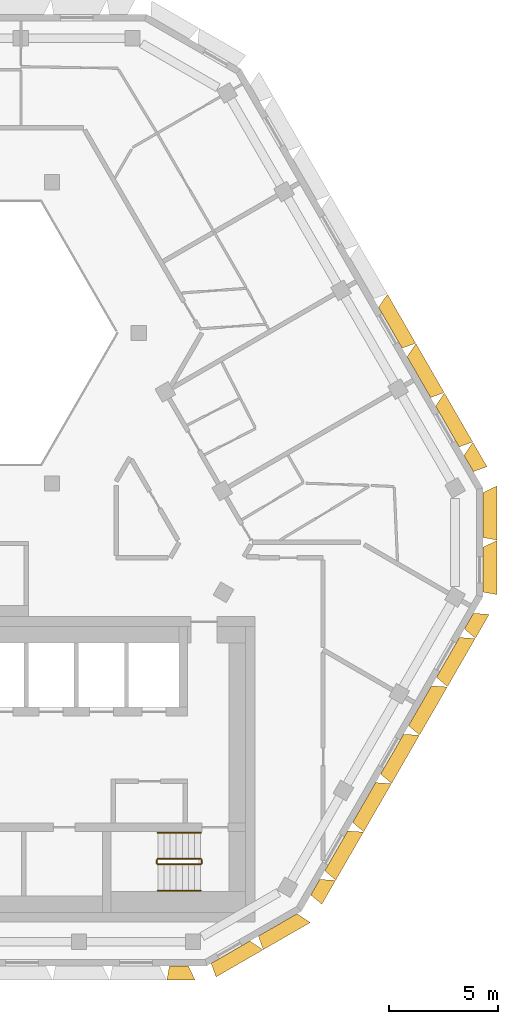
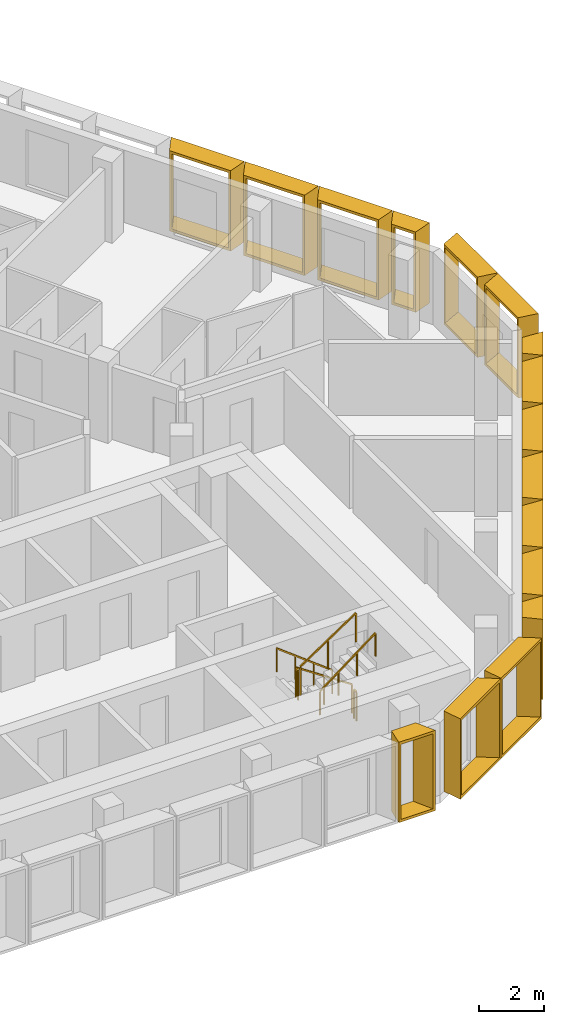
# One storey, part 13 of 14: 16 shading devices, 6 railings.
"""IFC4 building model written with IfcOpenShell, lengths in metres."""

from ifc_helpers import new_model, entity, si_unit, direction, frame, origin, origin_2d, place, context, subcontext, project, spatial, rectangle, extrude, source, transform, mapped, material, type_object, type_shapes, element, save


model = new_model("IFC4")

# Units and contexts
model_context = context("Model", 3, precision=1e-05, world=origin(), true_north=direction((0.0, 1.0)))
body_context = subcontext(model_context, "Body", "Model", "MODEL_VIEW")
ifc_project = project(units=[si_unit("LENGTHUNIT", "METRE"), si_unit("AREAUNIT", "SQUARE_METRE"), si_unit("VOLUMEUNIT", "CUBIC_METRE"), si_unit("PLANEANGLEUNIT", "RADIAN"), si_unit("MASSUNIT", "GRAM", prefix="KILO")], contexts=[model_context])

# Site, building, storey
site_placement = place(None, origin())
site = spatial("IfcSite", under=ifc_project, at=site_placement, CompositionType="ELEMENT")
building_placement = place(site_placement, origin())
building = spatial("IfcBuilding", under=site, at=building_placement, Name="Beryl Residences", CompositionType="ELEMENT")
storey_placement = place(building_placement, frame((0.0, 0.0, 223.800048828125)))
storey = spatial("IfcBuildingStorey", under=building, at=storey_placement, Name="L69", CompositionType="ELEMENT", Elevation=223.800048828125)

# Shading devices
ifc_material_1 = material(Name="Aluminium pale anodised", Category="aluminium")
shading_device_type_1 = type_object("IfcShadingDeviceType", Name="FR128-65C OUTER SKIN frame 650 mm deep, splay 10/26 deg, 1280 x 3000 mm cell", PredefinedType="USERDEFINED", material=ifc_material_1)
cartesian_point_1 = entity("IfcCartesianPoint", [-0.4140625, 0.0])
cartesian_point_2 = entity("IfcCartesianPoint", [-0.332763671875, 0.10009765625])
cartesian_point_3 = entity("IfcCartesianPoint", [-0.528564453125, 0.0])
cartesian_point_4 = entity("IfcCartesianPoint", [-0.447265625, 0.10009765625])
shared_shape_1 = source(origin(), body_context, "Body", "SweptSolid", [
    entity("IfcExtrudedAreaSolidTapered", entity("IfcArbitraryProfileDefWithVoids", "AREA", None, entity("IfcPolyline", [cartesian_point_1, entity("IfcCartesianPoint", [0.4140625, 0.0]), entity("IfcCartesianPoint", [0.4140625, 3.0]), entity("IfcCartesianPoint", [-0.4140625, 3.0]), cartesian_point_1]), [entity("IfcPolyline", [cartesian_point_2, entity("IfcCartesianPoint", [0.324951171875, 0.10009765625]), entity("IfcCartesianPoint", [0.324951171875, 2.89990234375]), entity("IfcCartesianPoint", [-0.332763671875, 2.89990234375]), cartesian_point_2])]), entity("IfcAxis2Placement3D", entity("IfcCartesianPoint", [0.0, 0.0, 0.0]), entity("IfcDirection", [0.0, 1.0, 0.0]), entity("IfcDirection", [-1.0, 0.0, 0.0])), entity("IfcDirection", [0.0, 0.0, 1.0]), 0.64990234375, entity("IfcArbitraryProfileDefWithVoids", "AREA", None, entity("IfcPolyline", [cartesian_point_3, entity("IfcCartesianPoint", [0.73095703125, 0.0]), entity("IfcCartesianPoint", [0.73095703125, 3.0]), entity("IfcCartesianPoint", [-0.528564453125, 3.0]), cartesian_point_3]), [entity("IfcPolyline", [cartesian_point_4, entity("IfcCartesianPoint", [0.64208984375, 0.10009765625]), entity("IfcCartesianPoint", [0.64208984375, 2.89990234375]), entity("IfcCartesianPoint", [-0.447265625, 2.89990234375]), cartesian_point_4])])),
])
type_shapes(shading_device_type_1, [shared_shape_1])
for number, where, z_axis, x_axis, name in (
    (1, (16.052978515625, -17.39599609375, 0.0), (0.0, 0.0, 1.0), (-0.5, -0.866025403784, 0.0), "FR128-65C frame L69 SE 1"),
    (2, (23.091064453125, -5.205078125, 0.0), (0.0, 0.0, 1.0), (-0.5, -0.866025403784, 0.0), "FR128-65C frame L69 SE 7"),
):
    element("IfcShadingDevice", number, at=place(storey_placement, frame(where, z_axis=z_axis, x_axis=x_axis)), inside=storey, type_object=shading_device_type_1, Name=name, ObjectType="OUTER SKIN", PredefinedType="USERDEFINED", context=body_context, shape_type="MappedRepresentation", body=[
        mapped(shared_shape_1, transform((0.0, 0.0, 0.0))),
    ])
ifc_material_2 = material(Name="Aluminium pale anodised", Category="aluminium")
shading_device_type_2 = type_object("IfcShadingDeviceType", Name="FR131-65C OUTER SKIN frame 650 mm deep, splay 10/26 deg, 1310 x 3000 mm cell", PredefinedType="USERDEFINED", material=ifc_material_2)
cartesian_point_5 = entity("IfcCartesianPoint", [-0.428955078125, 0.0])
cartesian_point_6 = entity("IfcCartesianPoint", [-0.34765625, 0.10009765625])
cartesian_point_7 = entity("IfcCartesianPoint", [-0.543701171875, 0.0])
cartesian_point_8 = entity("IfcCartesianPoint", [-0.46240234375, 0.10009765625])
shared_shape_2 = source(origin(), body_context, "Body", "SweptSolid", [
    entity("IfcExtrudedAreaSolidTapered", entity("IfcArbitraryProfileDefWithVoids", "AREA", None, entity("IfcPolyline", [cartesian_point_5, entity("IfcCartesianPoint", [0.428955078125, 0.0]), entity("IfcCartesianPoint", [0.428955078125, 3.0]), entity("IfcCartesianPoint", [-0.428955078125, 3.0]), cartesian_point_5]), [entity("IfcPolyline", [cartesian_point_6, entity("IfcCartesianPoint", [0.340087890625, 0.10009765625]), entity("IfcCartesianPoint", [0.340087890625, 2.89990234375]), entity("IfcCartesianPoint", [-0.34765625, 2.89990234375]), cartesian_point_6])]), entity("IfcAxis2Placement3D", entity("IfcCartesianPoint", [0.0, 0.0, 0.0]), entity("IfcDirection", [0.0, 1.0, 0.0]), entity("IfcDirection", [-1.0, 0.0, 0.0])), entity("IfcDirection", [0.0, 0.0, 1.0]), 0.64990234375, entity("IfcArbitraryProfileDefWithVoids", "AREA", None, entity("IfcPolyline", [cartesian_point_7, entity("IfcCartesianPoint", [0.74609375, 0.0]), entity("IfcCartesianPoint", [0.74609375, 3.0]), entity("IfcCartesianPoint", [-0.543701171875, 3.0]), cartesian_point_7]), [entity("IfcPolyline", [cartesian_point_8, entity("IfcCartesianPoint", [0.656982421875, 0.10009765625]), entity("IfcCartesianPoint", [0.656982421875, 2.89990234375]), entity("IfcCartesianPoint", [-0.46240234375, 2.89990234375]), cartesian_point_8])])),
])
type_shapes(shading_device_type_2, [shared_shape_2])
for number, where, z_axis, x_axis, name in (
    (3, (9.797119140625, -21.0, 0.0), (0.0, 0.0, 1.0), (-1.0, 0.0, 0.0), "FR131-65C frame L69 S 9"),
    (4, (23.083984375, 2.01611328125, 0.0), (0.0, 0.0, 1.0), (0.5, -0.866025403784, 0.0), "FR131-65C frame L69 NE 1"),
):
    element("IfcShadingDevice", number, at=place(storey_placement, frame(where, z_axis=z_axis, x_axis=x_axis)), inside=storey, type_object=shading_device_type_2, Name=name, ObjectType="OUTER SKIN", PredefinedType="USERDEFINED", context=body_context, shape_type="MappedRepresentation", body=[
        mapped(shared_shape_2, transform((0.0, 0.0, 0.0))),
    ])
ifc_material_3 = material(Name="Aluminium pale anodised", Category="aluminium")
shading_device_type_3 = type_object("IfcShadingDeviceType", Name="FR250-65C OUTER SKIN frame 650 mm deep, splay 10/26 deg, 2500 x 3000 mm cell", PredefinedType="USERDEFINED", material=ifc_material_3)
cartesian_point_9 = entity("IfcCartesianPoint", [-1.02392578125, 0.0])
cartesian_point_10 = entity("IfcCartesianPoint", [-0.94287109375, 0.10009765625])
cartesian_point_11 = entity("IfcCartesianPoint", [-1.138671875, 0.0])
cartesian_point_12 = entity("IfcCartesianPoint", [-1.057373046875, 0.10009765625])
shared_shape_3 = source(origin(), body_context, "Body", "SweptSolid", [
    entity("IfcExtrudedAreaSolidTapered", entity("IfcArbitraryProfileDefWithVoids", "AREA", None, entity("IfcPolyline", [cartesian_point_9, entity("IfcCartesianPoint", [1.02392578125, 0.0]), entity("IfcCartesianPoint", [1.02392578125, 3.0]), entity("IfcCartesianPoint", [-1.02392578125, 3.0]), cartesian_point_9]), [entity("IfcPolyline", [cartesian_point_10, entity("IfcCartesianPoint", [0.93505859375, 0.10009765625]), entity("IfcCartesianPoint", [0.93505859375, 2.89990234375]), entity("IfcCartesianPoint", [-0.94287109375, 2.89990234375]), cartesian_point_10])]), entity("IfcAxis2Placement3D", entity("IfcCartesianPoint", [0.0, 0.0, 0.0]), entity("IfcDirection", [0.0, 1.0, 0.0]), entity("IfcDirection", [-1.0, 0.0, 0.0])), entity("IfcDirection", [0.0, 0.0, 1.0]), 0.64990234375, entity("IfcArbitraryProfileDefWithVoids", "AREA", None, entity("IfcPolyline", [cartesian_point_11, entity("IfcCartesianPoint", [1.341064453125, 0.0]), entity("IfcCartesianPoint", [1.341064453125, 3.0]), entity("IfcCartesianPoint", [-1.138671875, 3.0]), cartesian_point_11]), [entity("IfcPolyline", [cartesian_point_12, entity("IfcCartesianPoint", [1.251953125, 0.10009765625]), entity("IfcCartesianPoint", [1.251953125, 2.89990234375]), entity("IfcCartesianPoint", [-1.057373046875, 2.89990234375]), cartesian_point_12])])),
])
type_shapes(shading_device_type_3, [shared_shape_3])
for number, where, z_axis, x_axis, name in (
    (5, (12.16796875, -20.375, 0.0), (0.0, 0.0, 1.0), (-0.866025403784, -0.5, 0.0), "FR250-65C frame L69 S-SE 1"),
    (6, (14.33203125, -19.125, 0.0), (0.0, 0.0, 1.0), (-0.866025403784, -0.5, 0.0), "FR250-65C frame L69 S-SE 2"),
    (7, (23.72900390625, -2.85009765625, 0.0), (0.0, 0.0, 1.0), (0.0, -1.0, 0.0), "FR250-65C frame L69 SE-NE 1"),
    (8, (23.72900390625, -0.35009765625, 0.0), (0.0, 0.0, 1.0), (0.0, -1.0, 0.0), "FR250-65C frame L69 SE-NE 2"),
):
    element("IfcShadingDevice", number, at=place(storey_placement, frame(where, z_axis=z_axis, x_axis=x_axis)), inside=storey, type_object=shading_device_type_3, Name=name, ObjectType="OUTER SKIN", PredefinedType="USERDEFINED", context=body_context, shape_type="MappedRepresentation", body=[
        mapped(shared_shape_3, transform((0.0, 0.0, 0.0))),
    ])
ifc_material_4 = material(Name="Aluminium pale anodised", Category="aluminium")
shading_device_type_4 = type_object("IfcShadingDeviceType", Name="FR256-65C OUTER SKIN frame 650 mm deep, splay 10/26 deg, 2560 x 3000 mm cell", PredefinedType="USERDEFINED", material=ifc_material_4)
cartesian_point_13 = entity("IfcCartesianPoint", [-1.053955078125, 0.0])
cartesian_point_14 = entity("IfcCartesianPoint", [-0.97265625, 0.10009765625])
cartesian_point_15 = entity("IfcCartesianPoint", [-1.168701171875, 0.0])
cartesian_point_16 = entity("IfcCartesianPoint", [-1.08740234375, 0.10009765625])
shared_shape_4 = source(origin(), body_context, "Body", "SweptSolid", [
    entity("IfcExtrudedAreaSolidTapered", entity("IfcArbitraryProfileDefWithVoids", "AREA", None, entity("IfcPolyline", [cartesian_point_13, entity("IfcCartesianPoint", [1.053955078125, 0.0]), entity("IfcCartesianPoint", [1.053955078125, 3.0]), entity("IfcCartesianPoint", [-1.053955078125, 3.0]), cartesian_point_13]), [entity("IfcPolyline", [cartesian_point_14, entity("IfcCartesianPoint", [0.965087890625, 0.10009765625]), entity("IfcCartesianPoint", [0.965087890625, 2.89990234375]), entity("IfcCartesianPoint", [-0.97265625, 2.89990234375]), cartesian_point_14])]), entity("IfcAxis2Placement3D", entity("IfcCartesianPoint", [0.0, 0.0, 0.0]), entity("IfcDirection", [0.0, 1.0, 0.0]), entity("IfcDirection", [-1.0, 0.0, 0.0])), entity("IfcDirection", [0.0, 0.0, 1.0]), 0.64990234375, entity("IfcArbitraryProfileDefWithVoids", "AREA", None, entity("IfcPolyline", [cartesian_point_15, entity("IfcCartesianPoint", [1.37109375, 0.0]), entity("IfcCartesianPoint", [1.37109375, 3.0]), entity("IfcCartesianPoint", [-1.168701171875, 3.0]), cartesian_point_15]), [entity("IfcPolyline", [cartesian_point_16, entity("IfcCartesianPoint", [1.281982421875, 0.10009765625]), entity("IfcCartesianPoint", [1.281982421875, 2.89990234375]), entity("IfcCartesianPoint", [-1.08740234375, 2.89990234375]), cartesian_point_16])])),
])
type_shapes(shading_device_type_4, [shared_shape_4])
for number, where, z_axis, x_axis, name in (
    (9, (17.011962890625, -15.73388671875, 0.0), (0.0, 0.0, 1.0), (-0.5, -0.866025403784, 0.0), "FR256-65C frame L69 SE 2"),
    (10, (18.2919921875, -13.51708984375, 0.0), (0.0, 0.0, 1.0), (-0.5, -0.866025403784, 0.0), "FR256-65C frame L69 SE 3"),
    (11, (19.572021484375, -11.300048828125, 0.0), (0.0, 0.0, 1.0), (-0.5, -0.866025403784, 0.0), "FR256-65C frame L69 SE 4"),
    (12, (20.85107421875, -9.083984375, 0.0), (0.0, 0.0, 1.0), (-0.5, -0.866025403784, 0.0), "FR256-65C frame L69 SE 5"),
    (13, (22.131103515625, -6.866943359375, 0.0), (0.0, 0.0, 1.0), (-0.5, -0.866025403784, 0.0), "FR256-65C frame L69 SE 6"),
):
    element("IfcShadingDevice", number, at=place(storey_placement, frame(where, z_axis=z_axis, x_axis=x_axis)), inside=storey, type_object=shading_device_type_4, Name=name, ObjectType="OUTER SKIN", PredefinedType="USERDEFINED", context=body_context, shape_type="MappedRepresentation", body=[
        mapped(shared_shape_4, transform((0.0, 0.0, 0.0))),
    ])
ifc_material_5 = material(Name="Aluminium pale anodised", Category="aluminium")
shading_device_type_5 = type_object("IfcShadingDeviceType", Name="FR261-65C OUTER SKIN frame 650 mm deep, splay 10/26 deg, 2610 x 3000 mm cell", PredefinedType="USERDEFINED", material=ifc_material_5)
cartesian_point_17 = entity("IfcCartesianPoint", [-1.0791015625, 0.0])
cartesian_point_18 = entity("IfcCartesianPoint", [-0.997802734375, 0.10009765625])
cartesian_point_19 = entity("IfcCartesianPoint", [-1.193603515625, 0.0])
cartesian_point_20 = entity("IfcCartesianPoint", [-1.1123046875, 0.10009765625])
shared_shape_5 = source(origin(), body_context, "Body", "SweptSolid", [
    entity("IfcExtrudedAreaSolidTapered", entity("IfcArbitraryProfileDefWithVoids", "AREA", None, entity("IfcPolyline", [cartesian_point_17, entity("IfcCartesianPoint", [1.0791015625, 0.0]), entity("IfcCartesianPoint", [1.0791015625, 3.0]), entity("IfcCartesianPoint", [-1.0791015625, 3.0]), cartesian_point_17]), [entity("IfcPolyline", [cartesian_point_18, entity("IfcCartesianPoint", [0.989990234375, 0.10009765625]), entity("IfcCartesianPoint", [0.989990234375, 2.89990234375]), entity("IfcCartesianPoint", [-0.997802734375, 2.89990234375]), cartesian_point_18])]), entity("IfcAxis2Placement3D", entity("IfcCartesianPoint", [0.0, 0.0, 0.0]), entity("IfcDirection", [0.0, 1.0, 0.0]), entity("IfcDirection", [-1.0, 0.0, 0.0])), entity("IfcDirection", [0.0, 0.0, 1.0]), 0.64990234375, entity("IfcArbitraryProfileDefWithVoids", "AREA", None, entity("IfcPolyline", [cartesian_point_19, entity("IfcCartesianPoint", [1.39599609375, 0.0]), entity("IfcCartesianPoint", [1.39599609375, 3.0]), entity("IfcCartesianPoint", [-1.193603515625, 3.0]), cartesian_point_19]), [entity("IfcPolyline", [cartesian_point_20, entity("IfcCartesianPoint", [1.30712890625, 0.10009765625]), entity("IfcCartesianPoint", [1.30712890625, 2.89990234375]), entity("IfcCartesianPoint", [-1.1123046875, 2.89990234375]), cartesian_point_20])])),
])
type_shapes(shading_device_type_5, [shared_shape_5])
for number, where, z_axis, x_axis, name in (
    (14, (22.10498046875, 3.7119140625, 0.0), (0.0, 0.0, 1.0), (0.5, -0.866025403784, 0.0), "FR261-65C frame L69 NE 2"),
    (15, (20.798095703125, 5.97509765625, 0.0), (0.0, 0.0, 1.0), (0.5, -0.866025403784, 0.0), "FR261-65C frame L69 NE 3"),
    (16, (19.491943359375, 8.237060546875, 0.0), (0.0, 0.0, 1.0), (0.5, -0.866025403784, 0.0), "FR261-65C frame L69 NE 4"),
):
    element("IfcShadingDevice", number, at=place(storey_placement, frame(where, z_axis=z_axis, x_axis=x_axis)), inside=storey, type_object=shading_device_type_5, Name=name, ObjectType="OUTER SKIN", PredefinedType="USERDEFINED", context=body_context, shape_type="MappedRepresentation", body=[
        mapped(shared_shape_5, transform((0.0, 0.0, 0.0))),
    ])

# Railings
ifc_material_6 = material(Name="Stainless steel balustrade with glass infill", Category="steel")
railing_type_1 = type_object("IfcRailingType", Name="SG1 stair guard 1100 mm", PredefinedType="GUARDRAIL", material=ifc_material_6)
railing_1_placement = place(storey_placement, frame((10.800048828125, -16.10009765625, 0.1875)))
element("IfcRailing", 17, at=railing_1_placement, inside=storey, type_object=railing_type_1, Name="L69 ST-3 stair guard 1", PredefinedType="GUARDRAIL", context=body_context, shape_type="SweptSolid", body=[
    extrude(rectangle(XDim=0.048095703125, YDim=0.048095703125, at=origin_2d()), frame((0.0, 0.0, 1.076171875), z_axis=(-0.830902050051, 0.0, 0.556418712142), x_axis=(0.0, -1.0, 0.0)), (0.0, 0.0, 1.0), 2.35888671875),
    extrude(rectangle(XDim=0.0419921875, YDim=0.0419921875, at=origin_2d()), origin(), (0.0, 0.0, 1.0), 1.052001953125),
    extrude(rectangle(XDim=0.0419921875, YDim=0.0419921875, at=origin_2d()), frame((-0.97998046875, 0.0, 0.65625)), (0.0, 0.0, 1.0), 1.052001953125),
    extrude(rectangle(XDim=0.0419921875, YDim=0.0419921875, at=origin_2d()), frame((-1.9599609375, 0.0, 1.3125)), (0.0, 0.0, 1.0), 1.052001953125),
])
railing_2_placement = place(storey_placement, frame((8.7900390625, -16.14990234375, 1.5)))
element("IfcRailing", 18, at=railing_2_placement, inside=storey, type_object=railing_type_1, Name="L69 ST-3 stair guard 2", PredefinedType="GUARDRAIL", context=body_context, shape_type="SweptSolid", body=[
    extrude(rectangle(XDim=0.048095703125, YDim=0.048095703125, at=origin_2d()), frame((0.0, 0.0, 1.076171875), z_axis=(0.0, -1.0, 0.0), x_axis=(1.0, 0.0, 0.0)), (0.0, 0.0, 1.0), 0.150146484375),
    extrude(rectangle(XDim=0.0419921875, YDim=0.0419921875, at=origin_2d()), origin(), (0.0, 0.0, 1.0), 1.052001953125),
    extrude(rectangle(XDim=0.0419921875, YDim=0.0419921875, at=origin_2d()), frame((0.0, -0.150146484375, 0.0)), (0.0, 0.0, 1.0), 1.052001953125),
])
railing_3_placement = place(storey_placement, frame((8.840087890625, -16.35009765625, 1.6875)))
element("IfcRailing", 19, at=railing_3_placement, inside=storey, type_object=railing_type_1, Name="L69 ST-3 stair guard 3", PredefinedType="GUARDRAIL", context=body_context, shape_type="SweptSolid", body=[
    extrude(rectangle(XDim=0.048095703125, YDim=0.048095703125, at=origin_2d()), frame((0.0, 0.0, 1.076171875), z_axis=(0.830902050051, 0.0, 0.556418712142), x_axis=(0.0, 1.0, 0.0)), (0.0, 0.0, 1.0), 2.35888671875),
    extrude(rectangle(XDim=0.0419921875, YDim=0.0419921875, at=origin_2d()), origin(), (0.0, 0.0, 1.0), 1.052001953125),
    extrude(rectangle(XDim=0.0419921875, YDim=0.0419921875, at=origin_2d()), frame((0.97998046875, 0.0, 0.65625)), (0.0, 0.0, 1.0), 1.052001953125),
    extrude(rectangle(XDim=0.0419921875, YDim=0.0419921875, at=origin_2d()), frame((1.9599609375, 0.0, 1.3125)), (0.0, 0.0, 1.0), 1.052001953125),
])
railing_4_placement = place(storey_placement, frame((10.85009765625, -16.14990234375, 0.0)))
element("IfcRailing", 20, at=railing_4_placement, inside=storey, type_object=railing_type_1, Name="L69 ST-3 stair guard 4", PredefinedType="GUARDRAIL", context=body_context, shape_type="SweptSolid", body=[
    extrude(rectangle(XDim=0.048095703125, YDim=0.048095703125, at=origin_2d()), frame((0.0, 0.0, 1.076171875), z_axis=(0.0, -1.0, 0.0), x_axis=(1.0, 0.0, 0.0)), (0.0, 0.0, 1.0), 0.150146484375),
    extrude(rectangle(XDim=0.0419921875, YDim=0.0419921875, at=origin_2d()), origin(), (0.0, 0.0, 1.0), 1.052001953125),
    extrude(rectangle(XDim=0.0419921875, YDim=0.0419921875, at=origin_2d()), frame((0.0, -0.150146484375, 0.0)), (0.0, 0.0, 1.0), 1.052001953125),
])
ifc_material_7 = material(Name="Stainless steel handrail", Category="steel")
railing_type_2 = type_object("IfcRailingType", Name="SRL1 stair handrail 900 mm", PredefinedType="HANDRAIL", material=ifc_material_7)
railing_5_placement = place(storey_placement, frame((10.800048828125, -14.89990234375, 0.1875)))
element("IfcRailing", 21, at=railing_5_placement, inside=storey, type_object=railing_type_2, Name="L69 ST-3 stair handrail 1", PredefinedType="HANDRAIL", context=body_context, shape_type="SweptSolid", body=[
    extrude(rectangle(XDim=0.048095703125, YDim=0.048095703125, at=origin_2d()), frame((0.0, 0.0, 0.8759765625), z_axis=(-0.794121922505, 0.0, 0.607758481798), x_axis=(0.0, -1.0, 0.0)), (0.0, 0.0, 1.0), 2.468017578125),
    extrude(rectangle(XDim=0.0419921875, YDim=0.0419921875, at=origin_2d()), origin(), (0.0, 0.0, 1.0), 0.851806640625),
    extrude(rectangle(XDim=0.0419921875, YDim=0.0419921875, at=origin_2d()), frame((-0.6533203125, 0.0, 0.5)), (0.0, 0.0, 1.0), 0.851806640625),
    extrude(rectangle(XDim=0.0419921875, YDim=0.0419921875, at=origin_2d()), frame((-1.306640625, 0.0, 1.0)), (0.0, 0.0, 1.0), 0.851806640625),
    extrude(rectangle(XDim=0.0419921875, YDim=0.0419921875, at=origin_2d()), frame((-1.9599609375, 0.0, 1.5)), (0.0, 0.0, 1.0), 0.851806640625),
])
railing_6_placement = place(storey_placement, frame((8.840087890625, -17.550048828125, 1.6875)))
element("IfcRailing", 22, at=railing_6_placement, inside=storey, type_object=railing_type_2, Name="L69 ST-3 stair handrail 2", PredefinedType="HANDRAIL", context=body_context, shape_type="SweptSolid", body=[
    extrude(rectangle(XDim=0.048095703125, YDim=0.048095703125, at=origin_2d()), frame((0.0, 0.0, 0.8759765625), z_axis=(0.794121922505, 0.0, 0.607758481798), x_axis=(0.0, 1.0, 0.0)), (0.0, 0.0, 1.0), 2.468017578125),
    extrude(rectangle(XDim=0.0419921875, YDim=0.0419921875, at=origin_2d()), origin(), (0.0, 0.0, 1.0), 0.851806640625),
    extrude(rectangle(XDim=0.0419921875, YDim=0.0419921875, at=origin_2d()), frame((0.6533203125, 0.0, 0.5)), (0.0, 0.0, 1.0), 0.851806640625),
    extrude(rectangle(XDim=0.0419921875, YDim=0.0419921875, at=origin_2d()), frame((1.306640625, 0.0, 1.0)), (0.0, 0.0, 1.0), 0.851806640625),
    extrude(rectangle(XDim=0.0419921875, YDim=0.0419921875, at=origin_2d()), frame((1.9599609375, 0.0, 1.5)), (0.0, 0.0, 1.0), 0.851806640625),
])

save(model, "model.ifc")
